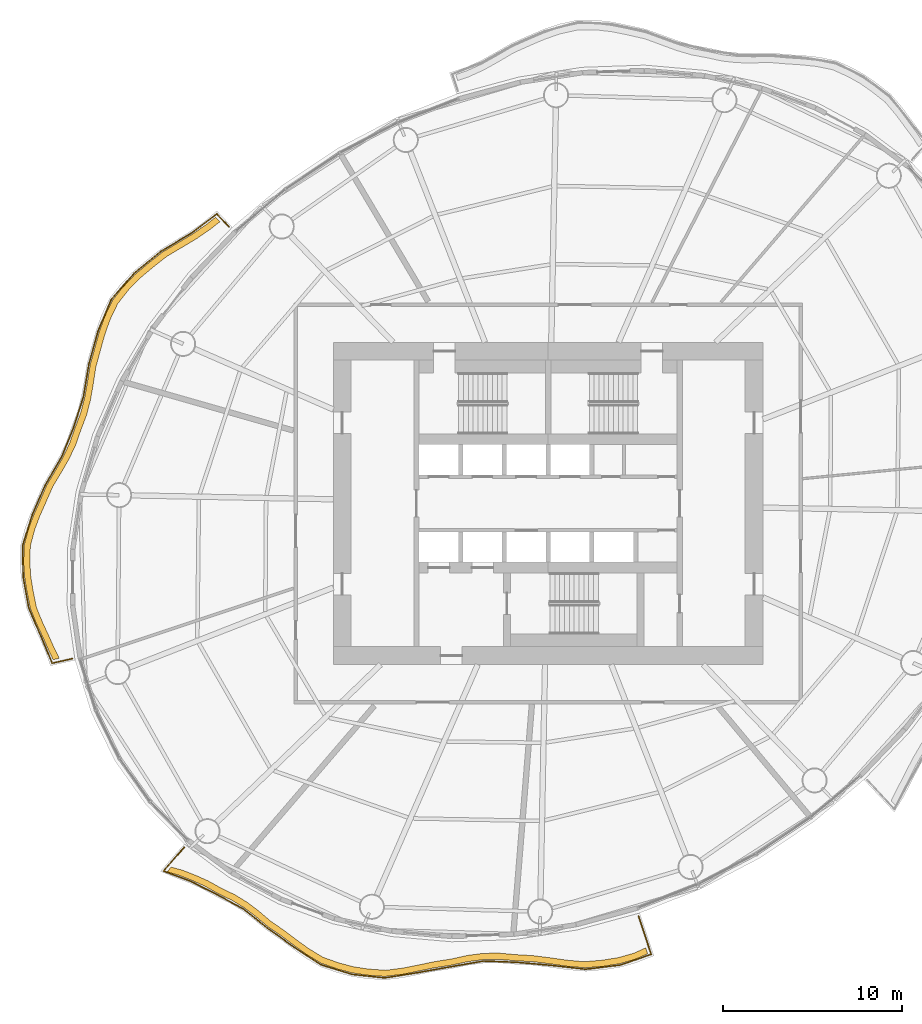
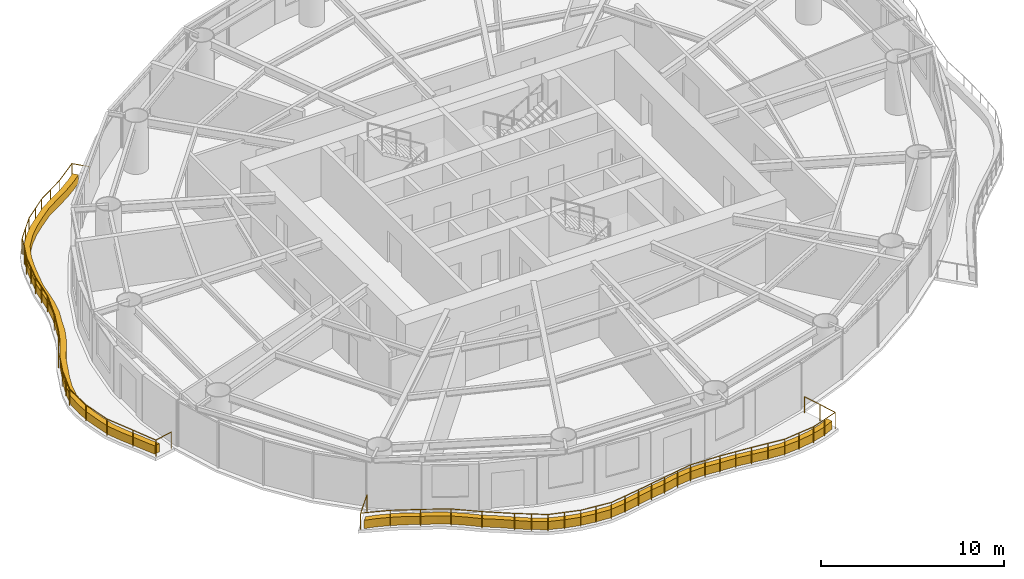
# One storey, part 12 of 14: 2 coverings, 2 railings.
"""IFC4 building model written with IfcOpenShell, lengths in metres."""

from ifc_helpers import new_model, si_unit, direction, frame, origin, origin_2d, place, context, subcontext, project, spatial, polyline, circle, outline, extrude, material, type_object, element, save


model = new_model("IFC4")

# Units and contexts
model_context = context("Model", 3, precision=1e-05, world=origin(), true_north=direction((0.0, 1.0)))
body_context = subcontext(model_context, "Body", "Model", "MODEL_VIEW")
ifc_project = project(units=[si_unit("LENGTHUNIT", "METRE"), si_unit("AREAUNIT", "SQUARE_METRE"), si_unit("VOLUMEUNIT", "CUBIC_METRE"), si_unit("PLANEANGLEUNIT", "RADIAN"), si_unit("MASSUNIT", "GRAM", prefix="KILO")], contexts=[model_context])

# Site, building, storey
site_placement = place(None, origin())
site = spatial("IfcSite", under=ifc_project, at=site_placement, CompositionType="ELEMENT")
building_placement = place(site_placement, origin())
building = spatial("IfcBuilding", under=site, at=building_placement, Name="Vermilion Reach Broadcast Tower", CompositionType="ELEMENT")
storey_placement = place(building_placement, frame((0.0, 0.0, 157.800048828125)))
storey = spatial("IfcBuildingStorey", under=building, at=storey_placement, Name="L37", CompositionType="ELEMENT", Elevation=157.800048828125)

# Coverings
ifc_material_1 = material(Name="Planting soil and greenery")
covering_type = type_object("IfcCoveringType", Name="Balcony PLANTER", PredefinedType="USERDEFINED", material=ifc_material_1)
placement = place(storey_placement, origin())
element("IfcCovering", 1, at=placement, inside=storey, type_object=covering_type, Name="PLANTER L37 group 2", ObjectType="PLANTER", PredefinedType="USERDEFINED", context=body_context, shape_type="SweptSolid", body=[
    extrude(outline(polyline([(-24.57373046875, 15.986328125), (-25.099365234375, 15.572021484375), (-25.858642578125, 15.046630859375), (-26.6640625, 14.565185546875), (-27.560546875, 14.025634765625), (-28.36474609375, 13.386962890625), (-29.062744140625, 12.79931640625), (-29.693603515625, 12.160888671875), (-30.3310546875, 11.347412109375), (-30.77294921875, 10.42919921875), (-31.06787109375, 9.58984375), (-31.30908203125, 8.71923828125), (-31.57861328125, 7.745361328125), (-31.732421875, 6.770263671875), (-31.884521484375, 5.906982421875), (-32.101806640625, 5.072021484375), (-32.4287109375, 4.21142578125), (-32.72509765625, 3.3623046875), (-33.08447265625, 2.601806640625), (-33.508544921875, 1.8603515625), (-34.004638671875, 1.021728515625), (-34.3828125, 0.1455078125), (-34.72412109375, -0.62158203125), (-35.017822265625, -1.39599609375), (-35.26806640625, -2.3515625), (-35.29638671875, -3.313720703125), (-35.2421875, -4.103515625), (-35.11279296875, -4.8935546875), (-34.925537109375, -5.838134765625), (-34.56982421875, -6.723388671875), (-34.22705078125, -7.454833984375), (-33.900634765625, -8.188720703125), (-33.64501953125, -8.724365234375), (-33.303466796875, -8.647705078125), (-33.55419921875, -8.138671875), (-33.880615234375, -7.40478515625), (-34.223388671875, -6.67333984375), (-34.576416015625, -5.81396484375), (-34.7626953125, -4.8955078125), (-34.89208984375, -4.10546875), (-34.9462890625, -3.315673828125), (-34.9189453125, -2.37841796875), (-34.671630859375, -1.447509765625), (-34.3779296875, -0.67333984375), (-34.03662109375, 0.093994140625), (-33.66259765625, 0.947021484375), (-33.172607421875, 1.7626953125), (-32.748291015625, 2.504150390625), (-32.388916015625, 3.2646484375), (-32.099609375, 4.09228515625), (-31.78125, 4.93212890625), (-31.563720703125, 5.76708984375), (-31.41162109375, 6.63037109375), (-31.26708984375, 7.5859375), (-31.0078125, 8.541015625), (-30.766357421875, 9.411865234375), (-30.4716796875, 10.2509765625), (-30.04052734375, 11.152099609375), (-29.4150390625, 11.94873046875), (-28.7841796875, 12.58740234375), (-28.08642578125, 13.175048828125), (-27.29443359375, 13.79833984375), (-26.4111328125, 14.3232421875), (-25.60595703125, 14.8046875), (-24.846435546875, 15.330078125), (-24.33447265625, 15.73095703125), (-24.57373046875, 15.986328125)])), origin(), (0.0, 0.0, 1.0), 0.550048828125),
])
element("IfcCovering", 2, at=placement, inside=storey, type_object=covering_type, Name="PLANTER L37 group 3", ObjectType="PLANTER", PredefinedType="USERDEFINED", context=body_context, shape_type="SweptSolid", body=[
    extrude(outline(polyline([(-27.285888671875, -20.574462890625), (-26.653076171875, -20.75390625), (-25.904296875, -21.04345703125), (-25.18115234375, -21.3671875), (-24.4306640625, -21.78955078125), (-23.645751953125, -22.168701171875), (-22.971923828125, -22.58203125), (-22.334228515625, -23.0634765625), (-21.638427734375, -23.6474609375), (-20.86376953125, -24.1767578125), (-20.1884765625, -24.685546875), (-19.50732421875, -25.17919921875), (-18.665283203125, -25.68505859375), (-17.727783203125, -26.0126953125), (-16.923583984375, -26.22314453125), (-16.10009765625, -26.344970703125), (-15.117431640625, -26.41650390625), (-14.10595703125, -26.2919921875), (-13.235107421875, -26.115478515625), (-12.364013671875, -25.93408203125), (-11.416015625, -25.789306640625), (-10.47021484375, -25.58642578125), (-9.60107421875, -25.474609375), (-8.728515625, -25.4619140625), (-7.782958984375, -25.544189453125), (-6.803955078125, -25.59619140625), (-5.885498046875, -25.71240234375), (-4.964599609375, -25.844482421875), (-3.9267578125, -25.934326171875), (-2.887451171875, -25.845947265625), (-1.9892578125, -25.701416015625), (-1.118896484375, -25.454345703125), (-0.44287109375, -25.151611328125), (-0.552978515625, -24.819580078125), (-1.210693359375, -25.116455078125), (-2.080810546875, -25.363525390625), (-2.97900390625, -25.508056640625), (-3.999267578125, -25.591796875), (-5.017578125, -25.49853515625), (-5.9384765625, -25.366455078125), (-6.85693359375, -25.250244140625), (-7.815673828125, -25.19580078125), (-8.740966796875, -25.1123046875), (-9.613525390625, -25.124755859375), (-10.482421875, -25.236572265625), (-11.40673828125, -25.439453125), (-12.333740234375, -25.585205078125), (-13.204833984375, -25.766845703125), (-14.075439453125, -25.943115234375), (-15.064697265625, -26.070556640625), (-16.025390625, -26.0029296875), (-16.848876953125, -25.88134765625), (-17.65283203125, -25.6708984375), (-18.567626953125, -25.348876953125), (-19.38720703125, -24.8505859375), (-20.068115234375, -24.356689453125), (-20.74365234375, -23.847900390625), (-21.4951171875, -23.328125), (-22.168701171875, -22.755126953125), (-22.80615234375, -22.273681640625), (-23.480224609375, -21.8603515625), (-24.242431640625, -21.494384765625), (-24.9716796875, -21.086669921875), (-25.69482421875, -20.76318359375), (-26.443603515625, -20.4736328125), (-27.05517578125, -20.31103515625), (-27.285888671875, -20.574462890625)])), origin(), (0.0, 0.0, 1.0), 0.550048828125),
])

# Railings
ifc_material_2 = material(Name="Stainless steel 316 balustrade", Category="steel")
railing_type = type_object("IfcRailingType", Name="Balcony guard 1100", PredefinedType="BALUSTRADE", material=ifc_material_2)
railing_1_placement = place(storey_placement, frame((-23.827392578125, 15.452392578125, 0.0)))
element("IfcRailing", 3, at=railing_1_placement, inside=storey, type_object=railing_type, Name="Balcony guard L37 group 2", PredefinedType="BALUSTRADE", context=body_context, shape_type="SweptSolid", body=[
    extrude(circle(Radius=0.02490234375, at=origin_2d()), frame((0.0, 0.0, 1.0751953125), z_axis=(-0.683538958656, 0.729914030554, 0.0), x_axis=(-0.729914030554, -0.683538958656, 0.0)), (0.0, 0.0, 1.0), 0.98974609375),
    extrude(circle(Radius=0.02490234375, at=origin_2d()), frame((-0.676513671875, 0.722412109375, 1.0751953125), z_axis=(-0.79638493266, -0.604790078484, 0.0), x_axis=(0.604790078484, -0.79638493266, 0.0)), (0.0, 0.0, 1.0), 1.773681640625),
    extrude(circle(Radius=0.02490234375, at=origin_2d()), frame((-2.089111328125, -0.350341796875, 1.0751953125), z_axis=(-0.85715698822, -0.515055237373, 0.0), x_axis=(0.515055237373, -0.85715698822, 0.0)), (0.0, 0.0, 1.0), 1.989013671875),
    extrude(circle(Radius=0.02490234375, at=origin_2d()), frame((-3.7939453125, -1.374755859375, 1.0751953125), z_axis=(-0.774343354293, -0.632765651456, 0.0), x_axis=(0.632765651456, -0.774343354293, 0.0)), (0.0, 0.0, 1.0), 1.943359375),
    extrude(circle(Radius=0.02490234375, at=origin_2d()), frame((-5.298828125, -2.6044921875, 1.0751953125), z_axis=(-0.657744120963, -0.753241442924, 0.0), x_axis=(0.753241442924, -0.657744120963, 0.0)), (0.0, 0.0, 1.0), 1.9326171875),
    extrude(circle(Radius=0.02490234375, at=origin_2d()), frame((-6.570068359375, -4.060302734375, 1.0751953125), z_axis=(-0.386982603429, -0.922087015766, 0.0), x_axis=(0.922087015766, -0.386982603429, 0.0)), (0.0, 0.0, 1.0), 1.910400390625),
    extrude(circle(Radius=0.02490234375, at=origin_2d()), frame((-7.309326171875, -5.82177734375, 1.0751953125), z_axis=(-0.267453548951, -0.963570754617, 0.0), x_axis=(0.963570754617, -0.267453548951, 0.0)), (0.0, 0.0, 1.0), 1.918701171875),
    extrude(circle(Radius=0.02490234375, at=origin_2d()), frame((-7.822509765625, -7.670654296875, 1.0751953125), z_axis=(-0.164907525091, -0.986309032793, 0.0), x_axis=(0.986309032793, -0.164907525091, 0.0)), (0.0, 0.0, 1.0), 1.868408203125),
    extrude(circle(Radius=0.02490234375, at=origin_2d()), frame((-8.130615234375, -9.513427734375, 1.0751953125), z_axis=(-0.305668429981, -0.952138020937, 0.0), x_axis=(0.952138020937, -0.305668429981, 0.0)), (0.0, 0.0, 1.0), 1.785888671875),
    extrude(circle(Radius=0.02490234375, at=origin_2d()), frame((-8.676513671875, -11.2138671875, 1.0751953125), z_axis=(-0.377083303309, -0.92617934676, 0.0), x_axis=(0.92617934676, -0.377083303309, 0.0)), (0.0, 0.0, 1.0), 1.742919921875),
    extrude(circle(Radius=0.02490234375, at=origin_2d()), frame((-9.333740234375, -12.828125, 1.0751953125), z_axis=(-0.502562609097, -0.864540816814, 0.0), x_axis=(0.864540816814, -0.502562609097, 0.0)), (0.0, 0.0, 1.0), 1.833984375),
    extrude(circle(Radius=0.02490234375, at=origin_2d()), frame((-10.25537109375, -14.41357421875, 1.0751953125), z_axis=(-0.400427292439, -0.916328534681, 0.0), x_axis=(0.916328534681, -0.400427292439, 0.0)), (0.0, 0.0, 1.0), 1.79931640625),
    extrude(circle(Radius=0.02490234375, at=origin_2d()), frame((-10.975830078125, -16.062255859375, 1.0751953125), z_axis=(-0.299306531553, -0.954157010229, 0.0), x_axis=(0.954157010229, -0.299306531553, 0.0)), (0.0, 0.0, 1.0), 1.819091796875),
    extrude(circle(Radius=0.02490234375, at=origin_2d()), frame((-11.520263671875, -17.7978515625, 1.0751953125), z_axis=(0.014583807934, -0.999893650618, 0.0), x_axis=(0.999893650618, 0.014583807934, 0.0)), (0.0, 0.0, 1.0), 1.7578125),
    extrude(circle(Radius=0.02490234375, at=origin_2d()), frame((-11.49462890625, -19.555419921875, 1.0751953125), z_axis=(0.178994738432, -0.983850031058, 0.0), x_axis=(0.983850031058, 0.178994738432, 0.0)), (0.0, 0.0, 1.0), 1.76904296875),
    extrude(circle(Radius=0.02490234375, at=origin_2d()), frame((-11.177978515625, -21.2958984375, 1.0751953125), z_axis=(0.395702782609, -0.918378629888, 0.0), x_axis=(0.918378629888, 0.395702782609, 0.0)), (0.0, 0.0, 1.0), 1.76708984375),
    extrude(circle(Radius=0.02490234375, at=origin_2d()), frame((-10.478759765625, -22.918701171875, 1.0751953125), z_axis=(0.386352660142, -0.922351138125, 0.0), x_axis=(0.922351138125, 0.386352660142, 0.0)), (0.0, 0.0, 1.0), 1.575927734375),
    extrude(circle(Radius=0.02490234375, at=origin_2d()), frame((-9.869873046875, -24.372314453125, 1.0751953125), z_axis=(0.975742354457, 0.218922035706, 0.0), x_axis=(-0.218922035706, 0.975742354457, 0.0)), (0.0, 0.0, 1.0), 1.141845703125),
    extrude(circle(Radius=0.02490234375, at=origin_2d()), origin(), (0.0, 0.0, 1.0), 1.050048828125),
    extrude(circle(Radius=0.02490234375, at=origin_2d()), frame((-0.676513671875, 0.722412109375, 0.0)), (0.0, 0.0, 1.0), 1.050048828125),
    extrude(circle(Radius=0.02490234375, at=origin_2d()), frame((-2.089111328125, -0.350341796875, 0.0)), (0.0, 0.0, 1.0), 1.050048828125),
    extrude(circle(Radius=0.02490234375, at=origin_2d()), frame((-2.94140625, -0.862548828125, 0.0)), (0.0, 0.0, 1.0), 1.050048828125),
    extrude(circle(Radius=0.02490234375, at=origin_2d()), frame((-3.7939453125, -1.374755859375, 0.0)), (0.0, 0.0, 1.0), 1.050048828125),
    extrude(circle(Radius=0.02490234375, at=origin_2d()), frame((-4.54638671875, -1.98974609375, 0.0)), (0.0, 0.0, 1.0), 1.050048828125),
    extrude(circle(Radius=0.02490234375, at=origin_2d()), frame((-5.298828125, -2.6044921875, 0.0)), (0.0, 0.0, 1.0), 1.050048828125),
    extrude(circle(Radius=0.02490234375, at=origin_2d()), frame((-5.9345703125, -3.33251953125, 0.0)), (0.0, 0.0, 1.0), 1.050048828125),
    extrude(circle(Radius=0.02490234375, at=origin_2d()), frame((-6.570068359375, -4.060302734375, 0.0)), (0.0, 0.0, 1.0), 1.050048828125),
    extrude(circle(Radius=0.02490234375, at=origin_2d()), frame((-6.939697265625, -4.94091796875, 0.0)), (0.0, 0.0, 1.0), 1.050048828125),
    extrude(circle(Radius=0.02490234375, at=origin_2d()), frame((-7.309326171875, -5.82177734375, 0.0)), (0.0, 0.0, 1.0), 1.050048828125),
    extrude(circle(Radius=0.02490234375, at=origin_2d()), frame((-7.56591796875, -6.74609375, 0.0)), (0.0, 0.0, 1.0), 1.050048828125),
    extrude(circle(Radius=0.02490234375, at=origin_2d()), frame((-7.822509765625, -7.670654296875, 0.0)), (0.0, 0.0, 1.0), 1.050048828125),
    extrude(circle(Radius=0.02490234375, at=origin_2d()), frame((-7.9765625, -8.592041015625, 0.0)), (0.0, 0.0, 1.0), 1.050048828125),
    extrude(circle(Radius=0.02490234375, at=origin_2d()), frame((-8.130615234375, -9.513427734375, 0.0)), (0.0, 0.0, 1.0), 1.050048828125),
    extrude(circle(Radius=0.02490234375, at=origin_2d()), frame((-8.676513671875, -11.2138671875, 0.0)), (0.0, 0.0, 1.0), 1.050048828125),
    extrude(circle(Radius=0.02490234375, at=origin_2d()), frame((-9.333740234375, -12.828125, 0.0)), (0.0, 0.0, 1.0), 1.050048828125),
    extrude(circle(Radius=0.02490234375, at=origin_2d()), frame((-9.79443359375, -13.620849609375, 0.0)), (0.0, 0.0, 1.0), 1.050048828125),
    extrude(circle(Radius=0.02490234375, at=origin_2d()), frame((-10.25537109375, -14.41357421875, 0.0)), (0.0, 0.0, 1.0), 1.050048828125),
    extrude(circle(Radius=0.02490234375, at=origin_2d()), frame((-10.975830078125, -16.062255859375, 0.0)), (0.0, 0.0, 1.0), 1.050048828125),
    extrude(circle(Radius=0.02490234375, at=origin_2d()), frame((-11.248046875, -16.93017578125, 0.0)), (0.0, 0.0, 1.0), 1.050048828125),
    extrude(circle(Radius=0.02490234375, at=origin_2d()), frame((-11.520263671875, -17.7978515625, 0.0)), (0.0, 0.0, 1.0), 1.050048828125),
    extrude(circle(Radius=0.02490234375, at=origin_2d()), frame((-11.49462890625, -19.555419921875, 0.0)), (0.0, 0.0, 1.0), 1.050048828125),
    extrude(circle(Radius=0.02490234375, at=origin_2d()), frame((-11.177978515625, -21.2958984375, 0.0)), (0.0, 0.0, 1.0), 1.050048828125),
    extrude(circle(Radius=0.02490234375, at=origin_2d()), frame((-10.478759765625, -22.918701171875, 0.0)), (0.0, 0.0, 1.0), 1.050048828125),
    extrude(circle(Radius=0.02490234375, at=origin_2d()), frame((-9.869873046875, -24.372314453125, 0.0)), (0.0, 0.0, 1.0), 1.050048828125),
    extrude(circle(Radius=0.02490234375, at=origin_2d()), frame((-8.755615234375, -24.122314453125, 0.0)), (0.0, 0.0, 1.0), 1.050048828125),
])
railing_2_placement = place(storey_placement, frame((-26.32373046875, -19.203369140625, 0.0)))
element("IfcRailing", 4, at=railing_2_placement, inside=storey, type_object=railing_type, Name="Balcony guard L37 group 3", PredefinedType="BALUSTRADE", context=body_context, shape_type="SweptSolid", body=[
    extrude(circle(Radius=0.02490234375, at=origin_2d()), frame((0.0, 0.0, 1.0751953125), z_axis=(-0.658789489881, -0.752327327712, 0.0), x_axis=(0.752327327712, -0.658789489881, 0.0)), (0.0, 0.0, 1.0), 1.75927734375),
    extrude(circle(Radius=0.02490234375, at=origin_2d()), frame((-1.158935546875, -1.323486328125, 1.0751953125), z_axis=(0.934924167583, -0.354847574135, 0.0), x_axis=(0.354847574135, 0.934924167583, 0.0)), (0.0, 0.0, 1.0), 1.63671875),
    extrude(circle(Radius=0.02490234375, at=origin_2d()), frame((0.371337890625, -1.904296875, 1.0751953125), z_axis=(0.892028650846, -0.451978855778, 0.0), x_axis=(0.451978855778, 0.892028650846, 0.0)), (0.0, 0.0, 1.0), 1.65771484375),
    extrude(circle(Radius=0.02490234375, at=origin_2d()), frame((1.85009765625, -2.653564453125, 1.0751953125), z_axis=(0.878605798137, -0.477547747853, 0.0), x_axis=(0.477547747853, 0.878605798137, 0.0)), (0.0, 0.0, 1.0), 1.666015625),
    extrude(circle(Radius=0.02490234375, at=origin_2d()), frame((3.31396484375, -3.44921875, 1.0751953125), z_axis=(0.781730461115, -0.623616457581, 0.0), x_axis=(0.623616457581, 0.781730461115, 0.0)), (0.0, 0.0, 1.0), 1.71240234375),
    extrude(circle(Radius=0.02490234375, at=origin_2d()), frame((4.652587890625, -4.51708984375, 1.0751953125), z_axis=(0.813595117404, -0.581431840319, 0.0), x_axis=(0.581431840319, 0.813595117404, 0.0)), (0.0, 0.0, 1.0), 1.788818359375),
    extrude(circle(Radius=0.02490234375, at=origin_2d()), frame((6.10791015625, -5.55712890625, 1.0751953125), z_axis=(0.836444229787, -0.548052050864, 0.0), x_axis=(0.548052050864, 0.836444229787, 0.0)), (0.0, 0.0, 1.0), 1.826904296875),
    extrude(circle(Radius=0.02490234375, at=origin_2d()), frame((7.635986328125, -6.558349609375, 1.0751953125), z_axis=(0.955472476797, -0.295080236686, 0.0), x_axis=(0.295080236686, 0.955472476797, 0.0)), (0.0, 0.0, 1.0), 1.828369140625),
    extrude(circle(Radius=0.02490234375, at=origin_2d()), frame((9.383056640625, -7.097900390625, 1.0751953125), z_axis=(0.994293425762, -0.106679817618, 0.0), x_axis=(0.106679817618, 0.994293425762, 0.0)), (0.0, 0.0, 1.0), 1.82177734375),
    extrude(circle(Radius=0.02490234375, at=origin_2d()), frame((11.1943359375, -7.292236328125, 1.0751953125), z_axis=(0.98757580058, 0.157143368009, 0.0), x_axis=(-0.157143368009, 0.98757580058, 0.0)), (0.0, 0.0, 1.0), 1.910888671875),
    extrude(circle(Radius=0.02490234375, at=origin_2d()), frame((13.08154296875, -6.991943359375, 1.0751953125), z_axis=(0.984411286155, 0.175881834451, 0.0), x_axis=(-0.175881834451, 0.984411286155, 0.0)), (0.0, 0.0, 1.0), 1.85302734375),
    extrude(circle(Radius=0.02490234375, at=origin_2d()), frame((14.90576171875, -6.666015625, 1.0751953125), z_axis=(0.985349224094, 0.17054883927, 0.0), x_axis=(-0.17054883927, 0.985349224094, 0.0)), (0.0, 0.0, 1.0), 1.8466796875),
    extrude(circle(Radius=0.02490234375, at=origin_2d()), frame((16.725341796875, -6.35107421875, 1.0751953125), z_axis=(0.999277297236, -0.038011619664, 0.0), x_axis=(0.038011619664, 0.999277297236, 0.0)), (0.0, 0.0, 1.0), 1.823974609375),
    extrude(circle(Radius=0.02490234375, at=origin_2d()), frame((18.548095703125, -6.42041015625, 1.0751953125), z_axis=(0.996135773431, -0.087826652509, 0.0), x_axis=(0.087826652509, 0.996135773431, 0.0)), (0.0, 0.0, 1.0), 1.90966796875),
    extrude(circle(Radius=0.02490234375, at=origin_2d()), frame((20.450439453125, -6.588134765625, 1.0751953125), z_axis=(0.993724448813, -0.111855799276, 0.0), x_axis=(0.111855799276, 0.993724448813, 0.0)), (0.0, 0.0, 1.0), 1.975341796875),
    extrude(circle(Radius=0.02490234375, at=origin_2d()), frame((22.413330078125, -6.80908203125, 1.0751953125), z_axis=(0.992826552631, 0.119563524503, 0.0), x_axis=(-0.119563524503, 0.992826552631, 0.0)), (0.0, 0.0, 1.0), 1.9560546875),
    extrude(circle(Radius=0.02490234375, at=origin_2d()), frame((24.35546875, -6.5751953125, 1.0751953125), z_axis=(0.944815773475, 0.327602127883, 0.0), x_axis=(-0.327602127883, 0.944815773475, 0.0)), (0.0, 0.0, 1.0), 1.8251953125),
    extrude(circle(Radius=0.02490234375, at=origin_2d()), frame((26.079833984375, -5.977294921875, 1.0751953125), z_axis=(-0.314338503332, 0.949310963448, 0.0), x_axis=(-0.949310963448, -0.314338503332, 0.0)), (0.0, 0.0, 1.0), 2.249267578125),
    extrude(circle(Radius=0.02490234375, at=origin_2d()), origin(), (0.0, 0.0, 1.0), 1.050048828125),
    extrude(circle(Radius=0.02490234375, at=origin_2d()), frame((-1.158935546875, -1.323486328125, 0.0)), (0.0, 0.0, 1.0), 1.050048828125),
    extrude(circle(Radius=0.02490234375, at=origin_2d()), frame((0.371337890625, -1.904296875, 0.0)), (0.0, 0.0, 1.0), 1.050048828125),
    extrude(circle(Radius=0.02490234375, at=origin_2d()), frame((1.85009765625, -2.653564453125, 0.0)), (0.0, 0.0, 1.0), 1.050048828125),
    extrude(circle(Radius=0.02490234375, at=origin_2d()), frame((3.31396484375, -3.44921875, 0.0)), (0.0, 0.0, 1.0), 1.050048828125),
    extrude(circle(Radius=0.02490234375, at=origin_2d()), frame((4.652587890625, -4.51708984375, 0.0)), (0.0, 0.0, 1.0), 1.050048828125),
    extrude(circle(Radius=0.02490234375, at=origin_2d()), frame((6.10791015625, -5.55712890625, 0.0)), (0.0, 0.0, 1.0), 1.050048828125),
    extrude(circle(Radius=0.02490234375, at=origin_2d()), frame((6.8720703125, -6.0576171875, 0.0)), (0.0, 0.0, 1.0), 1.050048828125),
    extrude(circle(Radius=0.02490234375, at=origin_2d()), frame((7.635986328125, -6.558349609375, 0.0)), (0.0, 0.0, 1.0), 1.050048828125),
    extrude(circle(Radius=0.02490234375, at=origin_2d()), frame((8.509521484375, -6.828125, 0.0)), (0.0, 0.0, 1.0), 1.050048828125),
    extrude(circle(Radius=0.02490234375, at=origin_2d()), frame((9.383056640625, -7.097900390625, 0.0)), (0.0, 0.0, 1.0), 1.050048828125),
    extrude(circle(Radius=0.02490234375, at=origin_2d()), frame((10.28857421875, -7.195068359375, 0.0)), (0.0, 0.0, 1.0), 1.050048828125),
    extrude(circle(Radius=0.02490234375, at=origin_2d()), frame((11.1943359375, -7.292236328125, 0.0)), (0.0, 0.0, 1.0), 1.050048828125),
    extrude(circle(Radius=0.02490234375, at=origin_2d()), frame((12.137939453125, -7.14208984375, 0.0)), (0.0, 0.0, 1.0), 1.050048828125),
    extrude(circle(Radius=0.02490234375, at=origin_2d()), frame((13.08154296875, -6.991943359375, 0.0)), (0.0, 0.0, 1.0), 1.050048828125),
    extrude(circle(Radius=0.02490234375, at=origin_2d()), frame((13.99365234375, -6.8291015625, 0.0)), (0.0, 0.0, 1.0), 1.050048828125),
    extrude(circle(Radius=0.02490234375, at=origin_2d()), frame((14.90576171875, -6.666015625, 0.0)), (0.0, 0.0, 1.0), 1.050048828125),
    extrude(circle(Radius=0.02490234375, at=origin_2d()), frame((15.8154296875, -6.508544921875, 0.0)), (0.0, 0.0, 1.0), 1.050048828125),
    extrude(circle(Radius=0.02490234375, at=origin_2d()), frame((16.725341796875, -6.35107421875, 0.0)), (0.0, 0.0, 1.0), 1.050048828125),
    extrude(circle(Radius=0.02490234375, at=origin_2d()), frame((17.63671875, -6.3857421875, 0.0)), (0.0, 0.0, 1.0), 1.050048828125),
    extrude(circle(Radius=0.02490234375, at=origin_2d()), frame((18.548095703125, -6.42041015625, 0.0)), (0.0, 0.0, 1.0), 1.050048828125),
    extrude(circle(Radius=0.02490234375, at=origin_2d()), frame((19.499267578125, -6.50439453125, 0.0)), (0.0, 0.0, 1.0), 1.050048828125),
    extrude(circle(Radius=0.02490234375, at=origin_2d()), frame((20.450439453125, -6.588134765625, 0.0)), (0.0, 0.0, 1.0), 1.050048828125),
    extrude(circle(Radius=0.02490234375, at=origin_2d()), frame((21.431884765625, -6.69873046875, 0.0)), (0.0, 0.0, 1.0), 1.050048828125),
    extrude(circle(Radius=0.02490234375, at=origin_2d()), frame((22.413330078125, -6.80908203125, 0.0)), (0.0, 0.0, 1.0), 1.050048828125),
    extrude(circle(Radius=0.02490234375, at=origin_2d()), frame((23.38427734375, -6.692138671875, 0.0)), (0.0, 0.0, 1.0), 1.050048828125),
    extrude(circle(Radius=0.02490234375, at=origin_2d()), frame((24.35546875, -6.5751953125, 0.0)), (0.0, 0.0, 1.0), 1.050048828125),
    extrude(circle(Radius=0.02490234375, at=origin_2d()), frame((25.2177734375, -6.2763671875, 0.0)), (0.0, 0.0, 1.0), 1.050048828125),
    extrude(circle(Radius=0.02490234375, at=origin_2d()), frame((26.079833984375, -5.977294921875, 0.0)), (0.0, 0.0, 1.0), 1.050048828125),
    extrude(circle(Radius=0.02490234375, at=origin_2d()), frame((25.726318359375, -4.90966796875, 0.0)), (0.0, 0.0, 1.0), 1.050048828125),
    extrude(circle(Radius=0.02490234375, at=origin_2d()), frame((25.372802734375, -3.842041015625, 0.0)), (0.0, 0.0, 1.0), 1.050048828125),
])

save(model, "model.ifc")
